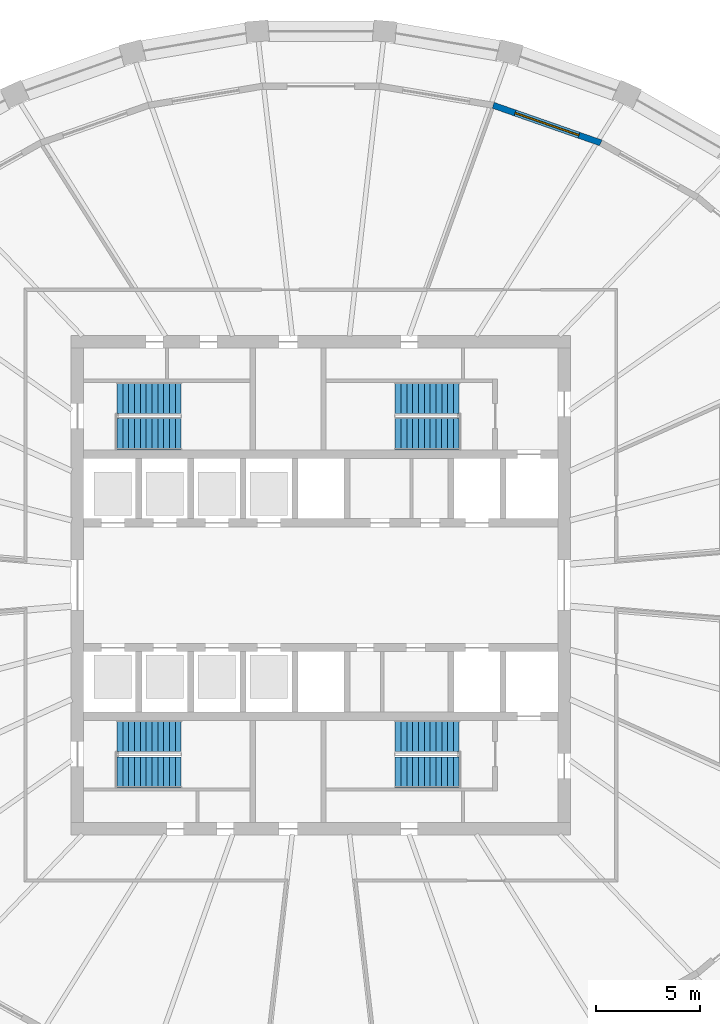
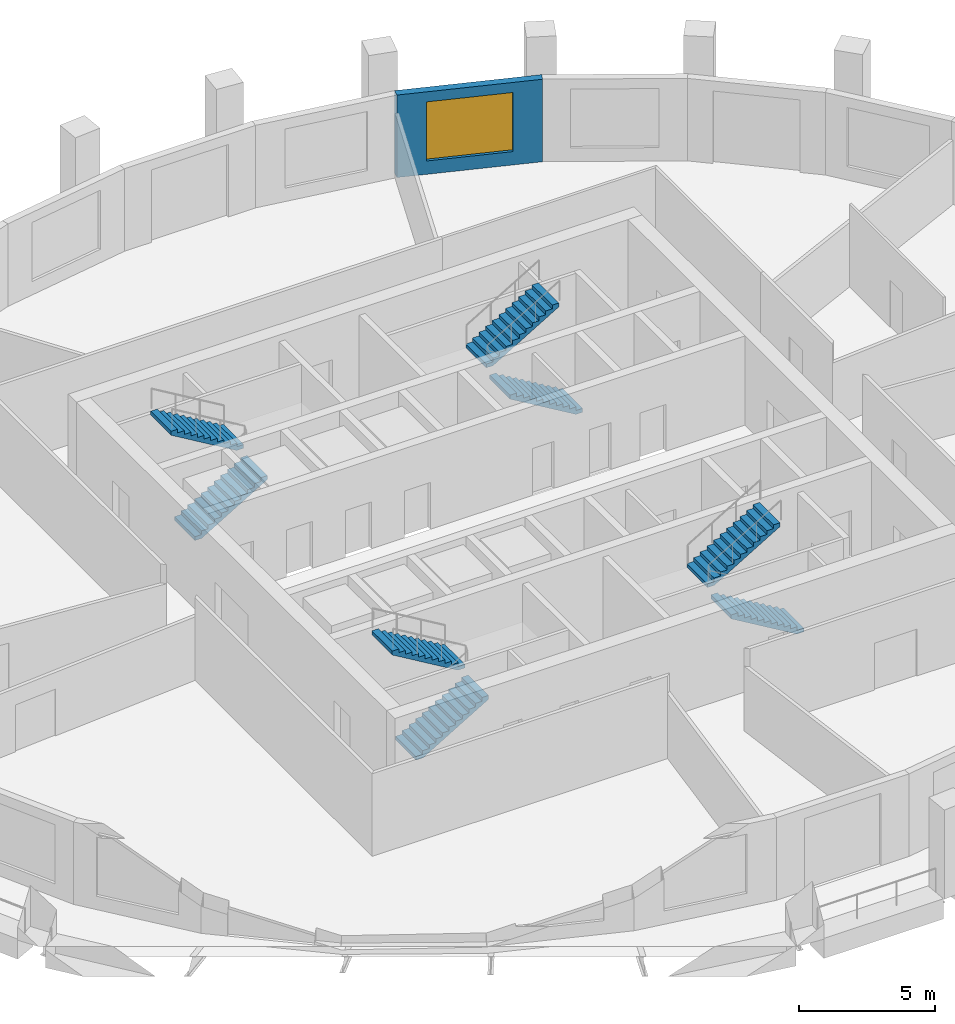
# One storey, part 7 of 10: 8 stair flights, 1 wall, 1 window, 1 opening, 4 elements without a shape of their own.
"""IFC4 building model written with IfcOpenShell, lengths in metres."""

from ifc_helpers import new_model, si_unit, direction, frame, frame_2d, origin, place, context, subcontext, project, spatial, polyline, rectangle, outline, extrude, material, layer, layer_set, type_object, element, fill, aggregate, save


model = new_model("IFC4")

# Units and contexts
model_context = context("Model", 3, precision=1e-05, world=origin(), true_north=direction((0.0, 1.0)))
body_context = subcontext(model_context, "Body", "Model", "MODEL_VIEW")
ifc_project = project(units=[si_unit("LENGTHUNIT", "METRE"), si_unit("AREAUNIT", "SQUARE_METRE"), si_unit("VOLUMEUNIT", "CUBIC_METRE"), si_unit("PLANEANGLEUNIT", "RADIAN"), si_unit("MASSUNIT", "GRAM", prefix="KILO")], contexts=[model_context])

# Site, building, storey
site_placement = place(None, origin())
site = spatial("IfcSite", under=ifc_project, at=site_placement, CompositionType="ELEMENT")
building_placement = place(site_placement, origin())
building = spatial("IfcBuilding", under=site, at=building_placement, Name="Halqa Exchange Tower", CompositionType="ELEMENT")
storey_placement = place(building_placement, frame((0.0, 0.0, 238.89990234375)))
storey = spatial("IfcBuildingStorey", under=building, at=storey_placement, Name="L55", CompositionType="ELEMENT", Elevation=238.89990234375)

# Wall, opening, window
ifc_material_1 = material(Name="Limestone cladding", Category="masonry")
ifc_layer_1 = layer(ifc_material_1, 0.0400390625)
ifc_material_2 = material(Name="Ventilated cavity")
ifc_layer_2 = layer(ifc_material_2, 0.030029296875, ventilated=True)
ifc_material_3 = material(Name="Mineral wool insulation")
ifc_layer_3 = layer(ifc_material_3, 0.10009765625)
ifc_material_4 = material(Name="Concrete C30/37", Category="concrete")
ifc_layer_4 = layer(ifc_material_4, 0.10009765625)
ifc_material_5 = material(Name="Internal plaster")
ifc_layer_5 = layer(ifc_material_5, 0.030029296875)
ifc_layer_set = layer_set([ifc_layer_1, ifc_layer_2, ifc_layer_3, ifc_layer_4, ifc_layer_5], Name="Stone-faced insulated wall 300")
wall_type = type_object("IfcWallType", Name="Stone-faced insulated wall 300", PredefinedType="STANDARD", material=ifc_layer_set)
wall_placement = place(storey_placement, frame((13.45458984375, 21.260986328125, 0.0), z_axis=(0.0, 0.0, 1.0), x_axis=(-0.944093730832, 0.329677156326, 0.0)))
wall = element("IfcWall", 1, at=wall_placement, inside=storey, type_object=wall_type, Name="Glass-line wall 6", PredefinedType="STANDARD", context=body_context, shape_type="SweptSolid", body=[
    extrude(outline(polyline([(-0.013427734375, -0.14990234375), (5.489013671875, -0.14990234375), (5.463623046875, 0.14990234375), (0.013427734375, 0.14990234375), (-0.013427734375, -0.14990234375)])), origin(), (0.0, 0.0, 1.0), 3.7001953125),
])
opening_placement = place(wall_placement, frame((1.113037109375, 0.0, 0.60009765625)))
opening = element("IfcOpeningElement", 2, at=opening_placement, cuts=wall, Name="Opening W-F3-06", PredefinedType="OPENING", context=body_context, shape_type="SweptSolid", body=[
    extrude(rectangle(XDim=3.25, YDim=2.64990234375, at=frame_2d((1.625, 1.324951171875))), frame((0.0, 0.162109375, 0.0), z_axis=(0.0, -1.0, 0.0), x_axis=(1.0, 0.0, 0.0)), (0.0, 0.0, 1.0), 0.323974609375),
])
ifc_material_6 = material(Name="Clear low-emissivity glass in aluminium frame", Category="aluminium")
window_type = type_object("IfcWindowType", Name="Fixed clear glazed window 3250 x 2650", PartitioningType="TRIPLE_PANEL_VERTICAL", PredefinedType="WINDOW", material=ifc_material_6)
window_placement = place(opening_placement, origin())
window = element("IfcWindow", 3, at=window_placement, inside=storey, type_object=window_type, Name="Window 3", OverallHeight=2.64990234375, OverallWidth=3.25, PartitioningType="TRIPLE_PANEL_VERTICAL", PredefinedType="WINDOW", context=body_context, shape_type="SweptSolid", body=[
    extrude(rectangle(XDim=3.25, YDim=2.64990234375, at=frame_2d((1.625, 1.324951171875))), frame((0.0, 0.030029296875, 0.0), z_axis=(0.0, -1.0, 0.0), x_axis=(1.0, 0.0, 0.0)), (0.0, 0.0, 1.0), 0.06005859375),
])
fill(opening, window)

# Stair, stair flights
stair_type = type_object("IfcStairType", Name="Exit stair 1500 wide", PredefinedType="HALF_TURN_STAIR", material=ifc_material_4)
stair_1_placement = place(storey_placement, origin())
stair_1 = element("IfcStair", 4, at=stair_1_placement, inside=storey, type_object=stair_type, Name="Exit stair ST1", PredefinedType="HALF_TURN_STAIR")
stair_flight_type = type_object("IfcStairFlightType", Name="Stair flight 1500 wide", PredefinedType="STRAIGHT", material=ifc_material_4)
stair_flight_1_placement = place(storey_placement, frame((-9.800048828125, 7.25, 0.0), z_axis=(0.0, 0.0, 1.0), x_axis=(1.0, 0.0, 0.0)))
stair_flight_1 = element("IfcStairFlight", 5, at=stair_flight_1_placement, type_object=stair_flight_type, Name="ST1 flight 1", NumberOfRisers=12, NumberOfTreads=11, PredefinedType="STRAIGHT", RiserHeight=0.166666667, TreadLength=0.28, context=body_context, shape_type="SweptSolid", body=[
    extrude(outline(polyline([(0.0, 0.0), (0.0, 0.166748046875), (0.280029296875, 0.166748046875), (0.280029296875, 0.333251953125), (0.56005859375, 0.333251953125), (0.56005859375, 0.5), (0.840087890625, 0.5), (0.840087890625, 0.666748046875), (1.1201171875, 0.666748046875), (1.1201171875, 0.833251953125), (1.39990234375, 0.833251953125), (1.39990234375, 1.0), (1.679931640625, 1.0), (1.679931640625, 1.166748046875), (1.9599609375, 1.166748046875), (1.9599609375, 1.333251953125), (2.239990234375, 1.333251953125), (2.239990234375, 1.5), (2.52001953125, 1.5), (2.52001953125, 1.666748046875), (2.800048828125, 1.666748046875), (2.800048828125, 1.833251953125), (3.080078125, 1.833251953125), (3.080078125, 2.0), (3.080078125, 1.658935546875), (0.29296875, 0.0), (0.0, 0.0)])), frame((0.0, 0.75, 0.0), z_axis=(0.0, -1.0, 0.0), x_axis=(1.0, 0.0, 0.0)), (0.0, 0.0, 1.0), 1.5),
])
stair_flight_2_placement = place(storey_placement, frame((-6.719970703125, 9.0, 2.0), z_axis=(0.0, 0.0, 1.0), x_axis=(-1.0, 0.0, 0.0)))
stair_flight_2 = element("IfcStairFlight", 6, at=stair_flight_2_placement, type_object=stair_flight_type, Name="ST1 flight 2", NumberOfRisers=12, NumberOfTreads=11, PredefinedType="STRAIGHT", RiserHeight=0.166666667, TreadLength=0.28, context=body_context, shape_type="SweptSolid", body=[
    extrude(outline(polyline([(0.0, 0.0), (0.0, 0.166748046875), (0.280029296875, 0.166748046875), (0.280029296875, 0.333251953125), (0.56005859375, 0.333251953125), (0.56005859375, 0.5), (0.840087890625, 0.5), (0.840087890625, 0.666748046875), (1.1201171875, 0.666748046875), (1.1201171875, 0.833251953125), (1.39990234375, 0.833251953125), (1.39990234375, 1.0), (1.679931640625, 1.0), (1.679931640625, 1.166748046875), (1.9599609375, 1.166748046875), (1.9599609375, 1.333251953125), (2.239990234375, 1.333251953125), (2.239990234375, 1.5), (2.52001953125, 1.5), (2.52001953125, 1.666748046875), (2.800048828125, 1.666748046875), (2.800048828125, 1.833251953125), (3.080078125, 1.833251953125), (3.080078125, 2.0), (3.080078125, 1.658935546875), (0.29296875, 0.0), (0.0, 0.0)])), frame((0.0, 0.75, 0.0), z_axis=(0.0, -1.0, 0.0), x_axis=(1.0, 0.0, 0.0)), (0.0, 0.0, 1.0), 1.5),
])
aggregate(stair_1, [stair_flight_1, stair_flight_2])

stair_2_placement = place(storey_placement, origin())
stair_2 = element("IfcStair", 7, at=stair_2_placement, inside=storey, type_object=stair_type, Name="Exit stair ST2", PredefinedType="HALF_TURN_STAIR")
stair_flight_3_placement = place(storey_placement, frame((6.64990234375, 7.25, 0.0), z_axis=(0.0, 0.0, 1.0), x_axis=(-1.0, 0.0, 0.0)))
stair_flight_3 = element("IfcStairFlight", 8, at=stair_flight_3_placement, type_object=stair_flight_type, Name="ST2 flight 1", NumberOfRisers=12, NumberOfTreads=11, PredefinedType="STRAIGHT", RiserHeight=0.166666667, TreadLength=0.28, context=body_context, shape_type="SweptSolid", body=[
    extrude(outline(polyline([(0.0, 0.0), (0.0, 0.166748046875), (0.280029296875, 0.166748046875), (0.280029296875, 0.333251953125), (0.56005859375, 0.333251953125), (0.56005859375, 0.5), (0.840087890625, 0.5), (0.840087890625, 0.666748046875), (1.1201171875, 0.666748046875), (1.1201171875, 0.833251953125), (1.39990234375, 0.833251953125), (1.39990234375, 1.0), (1.679931640625, 1.0), (1.679931640625, 1.166748046875), (1.9599609375, 1.166748046875), (1.9599609375, 1.333251953125), (2.239990234375, 1.333251953125), (2.239990234375, 1.5), (2.52001953125, 1.5), (2.52001953125, 1.666748046875), (2.800048828125, 1.666748046875), (2.800048828125, 1.833251953125), (3.080078125, 1.833251953125), (3.080078125, 2.0), (3.080078125, 1.658935546875), (0.29296875, 0.0), (0.0, 0.0)])), frame((0.0, 0.75, 0.0), z_axis=(0.0, -1.0, 0.0), x_axis=(1.0, 0.0, 0.0)), (0.0, 0.0, 1.0), 1.5),
])
stair_flight_4_placement = place(storey_placement, frame((3.570068359375, 9.0, 2.0), z_axis=(0.0, 0.0, 1.0), x_axis=(1.0, 0.0, 0.0)))
stair_flight_4 = element("IfcStairFlight", 9, at=stair_flight_4_placement, type_object=stair_flight_type, Name="ST2 flight 2", NumberOfRisers=12, NumberOfTreads=11, PredefinedType="STRAIGHT", RiserHeight=0.166666667, TreadLength=0.28, context=body_context, shape_type="SweptSolid", body=[
    extrude(outline(polyline([(0.0, 0.0), (0.0, 0.166748046875), (0.280029296875, 0.166748046875), (0.280029296875, 0.333251953125), (0.56005859375, 0.333251953125), (0.56005859375, 0.5), (0.840087890625, 0.5), (0.840087890625, 0.666748046875), (1.1201171875, 0.666748046875), (1.1201171875, 0.833251953125), (1.39990234375, 0.833251953125), (1.39990234375, 1.0), (1.679931640625, 1.0), (1.679931640625, 1.166748046875), (1.9599609375, 1.166748046875), (1.9599609375, 1.333251953125), (2.239990234375, 1.333251953125), (2.239990234375, 1.5), (2.52001953125, 1.5), (2.52001953125, 1.666748046875), (2.800048828125, 1.666748046875), (2.800048828125, 1.833251953125), (3.080078125, 1.833251953125), (3.080078125, 2.0), (3.080078125, 1.658935546875), (0.29296875, 0.0), (0.0, 0.0)])), frame((0.0, 0.75, 0.0), z_axis=(0.0, -1.0, 0.0), x_axis=(1.0, 0.0, 0.0)), (0.0, 0.0, 1.0), 1.5),
])
aggregate(stair_2, [stair_flight_3, stair_flight_4])

stair_3_placement = place(storey_placement, origin())
stair_3 = element("IfcStair", 10, at=stair_3_placement, inside=storey, type_object=stair_type, Name="Exit stair ST3", PredefinedType="HALF_TURN_STAIR")
stair_flight_5_placement = place(storey_placement, frame((-9.800048828125, -9.0, 0.0), z_axis=(0.0, 0.0, 1.0), x_axis=(1.0, 0.0, 0.0)))
stair_flight_5 = element("IfcStairFlight", 11, at=stair_flight_5_placement, type_object=stair_flight_type, Name="ST3 flight 1", NumberOfRisers=12, NumberOfTreads=11, PredefinedType="STRAIGHT", RiserHeight=0.166666667, TreadLength=0.28, context=body_context, shape_type="SweptSolid", body=[
    extrude(outline(polyline([(0.0, 0.0), (0.0, 0.166748046875), (0.280029296875, 0.166748046875), (0.280029296875, 0.333251953125), (0.56005859375, 0.333251953125), (0.56005859375, 0.5), (0.840087890625, 0.5), (0.840087890625, 0.666748046875), (1.1201171875, 0.666748046875), (1.1201171875, 0.833251953125), (1.39990234375, 0.833251953125), (1.39990234375, 1.0), (1.679931640625, 1.0), (1.679931640625, 1.166748046875), (1.9599609375, 1.166748046875), (1.9599609375, 1.333251953125), (2.239990234375, 1.333251953125), (2.239990234375, 1.5), (2.52001953125, 1.5), (2.52001953125, 1.666748046875), (2.800048828125, 1.666748046875), (2.800048828125, 1.833251953125), (3.080078125, 1.833251953125), (3.080078125, 2.0), (3.080078125, 1.658935546875), (0.29296875, 0.0), (0.0, 0.0)])), frame((0.0, 0.75, 0.0), z_axis=(0.0, -1.0, 0.0), x_axis=(1.0, 0.0, 0.0)), (0.0, 0.0, 1.0), 1.5),
])
stair_flight_6_placement = place(storey_placement, frame((-6.719970703125, -7.25, 2.0), z_axis=(0.0, 0.0, 1.0), x_axis=(-1.0, 0.0, 0.0)))
stair_flight_6 = element("IfcStairFlight", 12, at=stair_flight_6_placement, type_object=stair_flight_type, Name="ST3 flight 2", NumberOfRisers=12, NumberOfTreads=11, PredefinedType="STRAIGHT", RiserHeight=0.166666667, TreadLength=0.28, context=body_context, shape_type="SweptSolid", body=[
    extrude(outline(polyline([(0.0, 0.0), (0.0, 0.166748046875), (0.280029296875, 0.166748046875), (0.280029296875, 0.333251953125), (0.56005859375, 0.333251953125), (0.56005859375, 0.5), (0.840087890625, 0.5), (0.840087890625, 0.666748046875), (1.1201171875, 0.666748046875), (1.1201171875, 0.833251953125), (1.39990234375, 0.833251953125), (1.39990234375, 1.0), (1.679931640625, 1.0), (1.679931640625, 1.166748046875), (1.9599609375, 1.166748046875), (1.9599609375, 1.333251953125), (2.239990234375, 1.333251953125), (2.239990234375, 1.5), (2.52001953125, 1.5), (2.52001953125, 1.666748046875), (2.800048828125, 1.666748046875), (2.800048828125, 1.833251953125), (3.080078125, 1.833251953125), (3.080078125, 2.0), (3.080078125, 1.658935546875), (0.29296875, 0.0), (0.0, 0.0)])), frame((0.0, 0.75, 0.0), z_axis=(0.0, -1.0, 0.0), x_axis=(1.0, 0.0, 0.0)), (0.0, 0.0, 1.0), 1.5),
])
aggregate(stair_3, [stair_flight_5, stair_flight_6])

stair_4_placement = place(storey_placement, origin())
stair_4 = element("IfcStair", 13, at=stair_4_placement, inside=storey, type_object=stair_type, Name="Exit stair ST4", PredefinedType="HALF_TURN_STAIR")
stair_flight_7_placement = place(storey_placement, frame((6.64990234375, -9.0, 0.0), z_axis=(0.0, 0.0, 1.0), x_axis=(-1.0, 0.0, 0.0)))
stair_flight_7 = element("IfcStairFlight", 14, at=stair_flight_7_placement, type_object=stair_flight_type, Name="ST4 flight 1", NumberOfRisers=12, NumberOfTreads=11, PredefinedType="STRAIGHT", RiserHeight=0.166666667, TreadLength=0.28, context=body_context, shape_type="SweptSolid", body=[
    extrude(outline(polyline([(0.0, 0.0), (0.0, 0.166748046875), (0.280029296875, 0.166748046875), (0.280029296875, 0.333251953125), (0.56005859375, 0.333251953125), (0.56005859375, 0.5), (0.840087890625, 0.5), (0.840087890625, 0.666748046875), (1.1201171875, 0.666748046875), (1.1201171875, 0.833251953125), (1.39990234375, 0.833251953125), (1.39990234375, 1.0), (1.679931640625, 1.0), (1.679931640625, 1.166748046875), (1.9599609375, 1.166748046875), (1.9599609375, 1.333251953125), (2.239990234375, 1.333251953125), (2.239990234375, 1.5), (2.52001953125, 1.5), (2.52001953125, 1.666748046875), (2.800048828125, 1.666748046875), (2.800048828125, 1.833251953125), (3.080078125, 1.833251953125), (3.080078125, 2.0), (3.080078125, 1.658935546875), (0.29296875, 0.0), (0.0, 0.0)])), frame((0.0, 0.75, 0.0), z_axis=(0.0, -1.0, 0.0), x_axis=(1.0, 0.0, 0.0)), (0.0, 0.0, 1.0), 1.5),
])
stair_flight_8_placement = place(storey_placement, frame((3.570068359375, -7.25, 2.0), z_axis=(0.0, 0.0, 1.0), x_axis=(1.0, 0.0, 0.0)))
stair_flight_8 = element("IfcStairFlight", 15, at=stair_flight_8_placement, type_object=stair_flight_type, Name="ST4 flight 2", NumberOfRisers=12, NumberOfTreads=11, PredefinedType="STRAIGHT", RiserHeight=0.166666667, TreadLength=0.28, context=body_context, shape_type="SweptSolid", body=[
    extrude(outline(polyline([(0.0, 0.0), (0.0, 0.166748046875), (0.280029296875, 0.166748046875), (0.280029296875, 0.333251953125), (0.56005859375, 0.333251953125), (0.56005859375, 0.5), (0.840087890625, 0.5), (0.840087890625, 0.666748046875), (1.1201171875, 0.666748046875), (1.1201171875, 0.833251953125), (1.39990234375, 0.833251953125), (1.39990234375, 1.0), (1.679931640625, 1.0), (1.679931640625, 1.166748046875), (1.9599609375, 1.166748046875), (1.9599609375, 1.333251953125), (2.239990234375, 1.333251953125), (2.239990234375, 1.5), (2.52001953125, 1.5), (2.52001953125, 1.666748046875), (2.800048828125, 1.666748046875), (2.800048828125, 1.833251953125), (3.080078125, 1.833251953125), (3.080078125, 2.0), (3.080078125, 1.658935546875), (0.29296875, 0.0), (0.0, 0.0)])), frame((0.0, 0.75, 0.0), z_axis=(0.0, -1.0, 0.0), x_axis=(1.0, 0.0, 0.0)), (0.0, 0.0, 1.0), 1.5),
])
aggregate(stair_4, [stair_flight_7, stair_flight_8])

save(model, "model.ifc")
